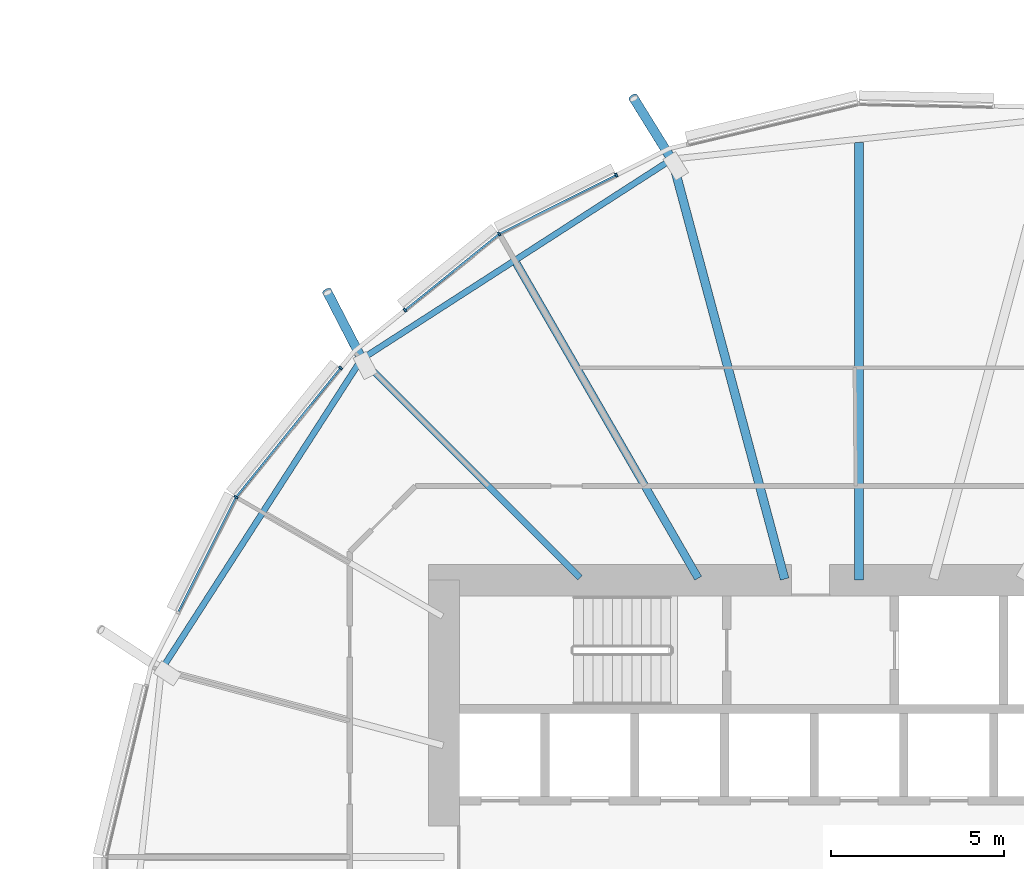
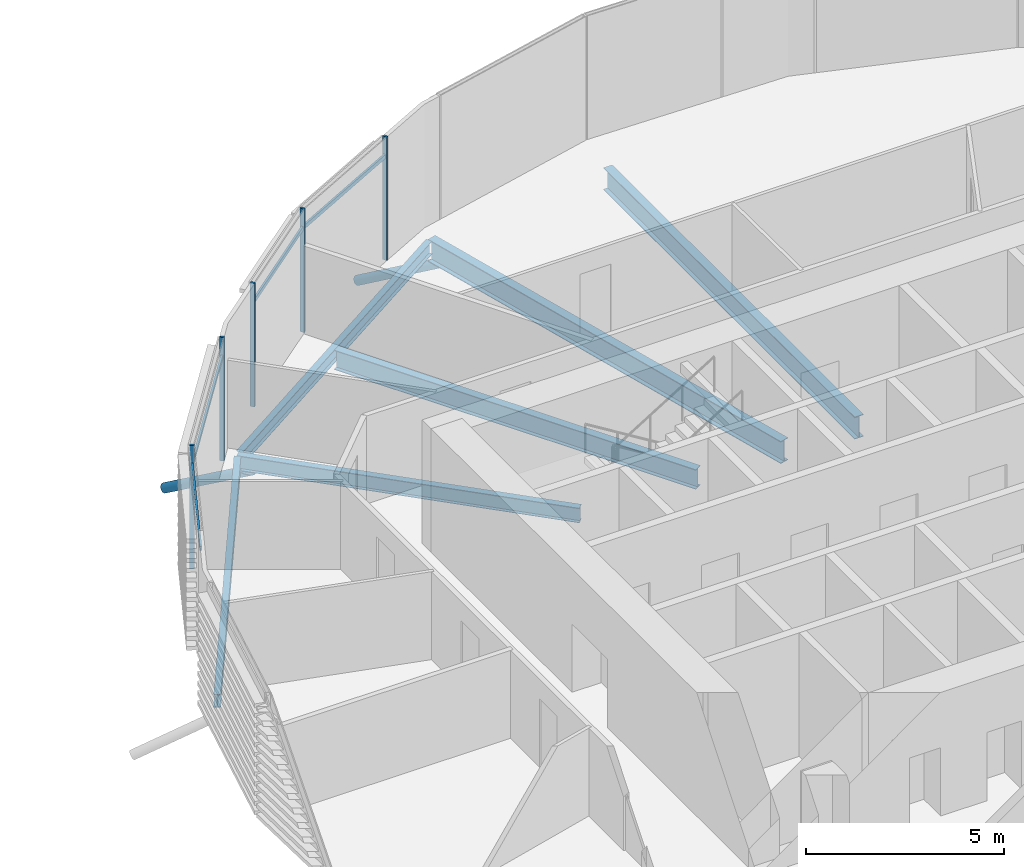
# One storey, part 17 of 38: 11 members, 6 beams, 1 element without a shape of its own.
"""IFC4 building model written with IfcOpenShell, lengths in metres."""

from ifc_helpers import new_model, si_unit, direction, frame, origin, origin_2d, place, context, subcontext, project, spatial, rectangle, hollow_circle, i_section, extrude, clip, halfspace, material, material_profile, profile_set, type_object, element, aggregate, save


model = new_model("IFC4")

# Units and contexts
model_context = context("Model", 3, precision=1e-05, world=origin(), true_north=direction((0.0, 1.0)))
body_context = subcontext(model_context, "Body", "Model", "MODEL_VIEW")
ifc_project = project(units=[si_unit("LENGTHUNIT", "METRE"), si_unit("AREAUNIT", "SQUARE_METRE"), si_unit("VOLUMEUNIT", "CUBIC_METRE"), si_unit("PLANEANGLEUNIT", "RADIAN"), si_unit("MASSUNIT", "GRAM", prefix="KILO")], contexts=[model_context])

# Site, building, storey
site_placement = place(None, origin())
site = spatial("IfcSite", under=ifc_project, at=site_placement, CompositionType="ELEMENT")
building_placement = place(site_placement, origin())
building = spatial("IfcBuilding", under=site, at=building_placement, Name="Rimbun Link Towers", CompositionType="ELEMENT")
storey_placement = place(building_placement, frame((0.0, 0.0, 56.60009765625)))
storey = spatial("IfcBuildingStorey", under=building, at=storey_placement, Name="L13", CompositionType="ELEMENT", Elevation=56.60009765625)

# Curtain wall, members
ifc_material_1 = material(Name="Aluminium 6063-T6 and low-iron glass", Category="aluminium")
curtain_wall_type = type_object("IfcCurtainWallType", Name="CW1 unitised vision wall", PredefinedType="NOTDEFINED", material=ifc_material_1)
curtain_wall_placement = place(storey_placement, origin())
curtain_wall = element("IfcCurtainWall", 1, at=curtain_wall_placement, inside=storey, type_object=curtain_wall_type, Name="CW1 L13 T2", PredefinedType="NOTDEFINED")
ifc_material_2 = material(Name="Aluminium 6063-T6", Category="aluminium")
ifc_material_profile_1 = material_profile(ifc_material_2, rectangle(XDim=0.1201171875, YDim=0.06005859375, at=origin_2d()), Name="MULLION 60X120")
ifc_profile_set_1 = profile_set([ifc_material_profile_1], Name="Aluminium 6063-T6")
member_type_1 = type_object("IfcMemberType", Name="CW1 mullion 60X120", PredefinedType="MULLION", material=ifc_profile_set_1)
member_1_placement = place(storey_placement, frame((21.34716796875, 18.01220703125, 0.0), z_axis=(0.0, 0.0, 1.0), x_axis=(-0.542104802562, 0.840310884756, 0.0)))
member_1 = element("IfcMember", 2, at=member_1_placement, type_object=member_type_1, Name="CW1 mullion", PredefinedType="MULLION", context=body_context, shape_type="SweptSolid", body=[
    extrude(rectangle(XDim=0.1201171875, YDim=0.06005859375, at=origin_2d()), origin(), (0.0, 0.0, 1.0), 3.7998046875),
])
member_2_placement = place(storey_placement, frame((24.73193359375, 19.712158203125, 0.0), z_axis=(0.0, 0.0, 1.0), x_axis=(-0.448789200311, 0.893637652343, 0.0)))
member_2 = element("IfcMember", 3, at=member_2_placement, type_object=member_type_1, Name="CW1 mullion", PredefinedType="MULLION", context=body_context, shape_type="SweptSolid", body=[
    extrude(rectangle(XDim=0.1201171875, YDim=0.06005859375, at=origin_2d()), origin(), (0.0, 0.0, 1.0), 3.7998046875),
])
member_3_placement = place(storey_placement, frame((18.623291015625, 15.8076171875, 0.0), z_axis=(0.0, 0.0, 1.0), x_axis=(-0.62915825639, 0.777277227517, 0.0)))
member_3 = element("IfcMember", 4, at=member_3_placement, type_object=member_type_1, Name="CW1 mullion", PredefinedType="MULLION", context=body_context, shape_type="SweptSolid", body=[
    extrude(rectangle(XDim=0.1201171875, YDim=0.06005859375, at=origin_2d()), origin(), (0.0, 0.0, 1.0), 3.7998046875),
])
member_4_placement = place(storey_placement, frame((13.73779296875, 10.40283203125, 0.0), z_axis=(0.0, 0.0, 1.0), x_axis=(-0.840310884756, 0.542104802562, 0.0)))
member_4 = element("IfcMember", 5, at=member_4_placement, type_object=member_type_1, Name="CW1 mullion", PredefinedType="MULLION", context=body_context, shape_type="SweptSolid", body=[
    extrude(rectangle(XDim=0.1201171875, YDim=0.06005859375, at=origin_2d()), origin(), (0.0, 0.0, 1.0), 3.7998046875),
])
member_5_placement = place(storey_placement, frame((16.76025390625, 14.136962890625, 0.0), z_axis=(0.0, 0.0, 1.0), x_axis=(-0.777277227517, 0.62915825639, 0.0)))
member_5 = element("IfcMember", 6, at=member_5_placement, type_object=member_type_1, Name="CW1 mullion", PredefinedType="MULLION", context=body_context, shape_type="SweptSolid", body=[
    extrude(rectangle(XDim=0.1201171875, YDim=0.06005859375, at=origin_2d()), origin(), (0.0, 0.0, 1.0), 3.7998046875),
])
ifc_material_3 = material(Name="Aluminium 6063-T6", Category="aluminium")
ifc_material_profile_2 = material_profile(ifc_material_3, rectangle(XDim=0.06005859375, YDim=0.1201171875, at=origin_2d()), Name="TRANSOM 60X120")
ifc_profile_set_2 = profile_set([ifc_material_profile_2], Name="Aluminium 6063-T6")
member_type_2 = type_object("IfcMemberType", Name="CW1 transom 60X120", PredefinedType="USERDEFINED", material=ifc_profile_set_2)
member_6_placement = place(storey_placement, frame((21.380615234375, 18.027099609375, 3.199951171875), z_axis=(0.893651671984, 0.448761283046, 0.0), x_axis=(-0.448761283046, 0.893651671984, 0.0)))
member_6 = element("IfcMember", 7, at=member_6_placement, type_object=member_type_2, Name="CW1 transom", ObjectType="TRANSOM", PredefinedType="USERDEFINED", context=body_context, shape_type="SweptSolid", body=[
    extrude(rectangle(XDim=0.06005859375, YDim=0.1201171875, at=origin_2d()), origin(), (0.0, 0.0, 1.0), 3.72119140625),
])
member_7_placement = place(storey_placement, frame((18.64794921875, 15.824951171875, 3.199951171875), z_axis=(0.777287868603, 0.629145109909, 0.0), x_axis=(-0.629145109909, 0.777287868603, 0.0)))
member_7 = element("IfcMember", 8, at=member_7_placement, type_object=member_type_2, Name="CW1 transom", ObjectType="TRANSOM", PredefinedType="USERDEFINED", context=body_context, shape_type="SweptSolid", body=[
    extrude(rectangle(XDim=0.06005859375, YDim=0.1201171875, at=origin_2d()), origin(), (0.0, 0.0, 1.0), 3.437744140625),
])
member_8_placement = place(storey_placement, frame((13.76220703125, 10.429931640625, 3.199951171875), z_axis=(0.629140413525, 0.777291669883, 0.0), x_axis=(-0.777291669883, 0.629140413525, 0.0)))
member_8 = element("IfcMember", 9, at=member_8_placement, type_object=member_type_2, Name="CW1 transom", ObjectType="TRANSOM", PredefinedType="USERDEFINED", context=body_context, shape_type="SweptSolid", body=[
    extrude(rectangle(XDim=0.06005859375, YDim=0.1201171875, at=origin_2d()), origin(), (0.0, 0.0, 1.0), 4.73779296875),
])
member_9_placement = place(storey_placement, frame((12.075439453125, 7.088623046875, 3.199951171875), z_axis=(0.448755777532, 0.893654436643, 0.0), x_axis=(-0.893654436643, 0.448755777532, 0.0)))
member_9 = element("IfcMember", 10, at=member_9_placement, type_object=member_type_2, Name="CW1 transom", ObjectType="TRANSOM", PredefinedType="USERDEFINED", context=body_context, shape_type="SweptSolid", body=[
    extrude(rectangle(XDim=0.06005859375, YDim=0.1201171875, at=origin_2d()), origin(), (0.0, 0.0, 1.0), 3.671142578125),
])
aggregate(curtain_wall, [member_1, member_2, member_3, member_4, member_5, member_6, member_7, member_8, member_9])

# Members
ifc_material_4 = material(Name="Steel S355J2H", Category="steel")
ifc_material_profile_3 = material_profile(ifc_material_4, hollow_circle(Radius=0.136474609375, WallThickness=0.012451171875, at=origin_2d()), Name="CHS 273x12.5")
ifc_profile_set_3 = profile_set([ifc_material_profile_3], Name="Steel S355J2H")
member_type_3 = type_object("IfcMemberType", Name="Floor edge link CHS 273x12.5", PredefinedType="BRACE", material=ifc_profile_set_3)
member_10_placement = place(storey_placement, frame((26.357177734375, 20.126708984375, -0.96240234375), z_axis=(-0.459763733359, 0.741003231937, -0.48941957434), x_axis=(-0.849727146631, -0.527222700838, 0.0)))
element("IfcMember", 11, at=member_10_placement, inside=storey, type_object=member_type_3, Name="Floor edge link T2 L13 04", PredefinedType="BRACE", context=body_context, shape_type="Clipping", body=[
    clip(extrude(hollow_circle(Radius=0.136474609375, WallThickness=0.012451171875, at=origin_2d()), frame((0.0, 0.0, -0.5068359375)), (0.0, 0.0, 1.0), 2.992919921875), halfspace(frame((0.0, 0.0, -0.23876953125), z_axis=(0.0, 0.872048439166, -0.48941957434)), False)),
])
member_11_placement = place(storey_placement, frame((17.3974609375, 14.3525390625, -0.730712890625), z_axis=(-0.395063915074, 0.765570560078, -0.507765911172), x_axis=(-0.888653428735, -0.458579419073, 0.0)))
element("IfcMember", 12, at=member_11_placement, inside=storey, type_object=member_type_3, Name="Floor edge link T2 L13 06", PredefinedType="BRACE", context=body_context, shape_type="Clipping", body=[
    clip(extrude(hollow_circle(Radius=0.136474609375, WallThickness=0.012451171875, at=origin_2d()), frame((0.0, 0.0, -0.48291015625)), (0.0, 0.0, 1.0), 3.09765625), halfspace(frame((0.0, 0.0, -0.226806640625), z_axis=(0.0, 0.861495083823, -0.507765911172)), False)),
])

# Beams
ifc_material_5 = material(Name="Steel S355J2", Category="steel")
ifc_material_profile_4 = material_profile(ifc_material_5, i_section(OverallWidth=0.177978515625, OverallDepth=0.406494140625, WebThickness=0.0078125, FlangeThickness=0.0126953125, at=origin_2d()), Name="UB 406x178x60")
ifc_profile_set_4 = profile_set([ifc_material_profile_4], Name="Steel S355J2")
beam_type_1 = type_object("IfcBeamType", Name="UB 406x178x60", PredefinedType="BEAM", material=ifc_profile_set_4)
beam_1_placement = place(storey_placement, frame((26.231201171875, 20.102294921875, -0.36328125), z_axis=(-0.840630116138, -0.541609645263, 0.0), x_axis=(0.541609645263, -0.840630116138, 0.0)))
element("IfcBeam", 13, at=beam_1_placement, inside=storey, type_object=beam_type_1, Name="Edge beam T2 L13 04-06", PredefinedType="BEAM", context=body_context, shape_type="SweptSolid", body=[
    extrude(i_section(OverallWidth=0.177978515625, OverallDepth=0.406494140625, WebThickness=0.0078125, FlangeThickness=0.0126953125, at=origin_2d()), origin(), (0.0, 0.0, 1.0), 10.452392578125),
])
beam_2_placement = place(storey_placement, frame((17.308837890625, 14.305419921875, -0.36328125), z_axis=(-0.541613961601, -0.840627335149, 0.0), x_axis=(0.840627335149, -0.541613961601, 0.0)))
element("IfcBeam", 14, at=beam_2_placement, inside=storey, type_object=beam_type_1, Name="Edge beam T2 L13 06-08", PredefinedType="BEAM", context=body_context, shape_type="SweptSolid", body=[
    extrude(i_section(OverallWidth=0.177978515625, OverallDepth=0.406494140625, WebThickness=0.0078125, FlangeThickness=0.0126953125, at=origin_2d()), origin(), (0.0, 0.0, 1.0), 10.486083984375),
])
ifc_material_6 = material(Name="Steel S355J2", Category="steel")
ifc_material_profile_5 = material_profile(ifc_material_6, i_section(OverallWidth=0.18994140625, OverallDepth=0.453369140625, WebThickness=0.008544921875, FlangeThickness=0.0126953125, at=origin_2d()), Name="UB 457x191x67")
ifc_profile_set_5 = profile_set([ifc_material_profile_5], Name="Steel S355J2")
beam_type_2 = type_object("IfcBeamType", Name="UB 457x191x67", PredefinedType="BEAM", material=ifc_profile_set_5)
beam_3_placement = place(storey_placement, frame((23.68212890625, 8.06787109375, -0.38671875), z_axis=(-0.707106781187, 0.707106781187, 0.0), x_axis=(-0.707106781187, -0.707106781187, 0.0)))
element("IfcBeam", 15, at=beam_3_placement, inside=storey, type_object=beam_type_2, Name="Radial beam T2 L13 06", PredefinedType="BEAM", context=body_context, shape_type="SweptSolid", body=[
    extrude(i_section(OverallWidth=0.18994140625, OverallDepth=0.453369140625, WebThickness=0.008544921875, FlangeThickness=0.0126953125, at=origin_2d()), origin(), (0.0, 0.0, 1.0), 8.93798828125),
])
ifc_material_7 = material(Name="Steel S355J2", Category="steel")
ifc_material_profile_6 = material_profile(ifc_material_7, i_section(OverallWidth=0.2275390625, OverallDepth=0.6025390625, WebThickness=0.010498046875, FlangeThickness=0.014892578125, at=origin_2d()), Name="UB 610x229x101")
ifc_profile_set_6 = profile_set([ifc_material_profile_6], Name="Steel S355J2")
beam_type_3 = type_object("IfcBeamType", Name="UB 610x229x101", PredefinedType="BEAM", material=ifc_profile_set_6)
beam_4_placement = place(storey_placement, frame((27.097900390625, 8.057861328125, -0.46142578125), z_axis=(-0.500006456804, 0.866021675915, 0.0), x_axis=(-0.866021675915, -0.500006456804, 0.0)))
element("IfcBeam", 16, at=beam_4_placement, inside=storey, type_object=beam_type_3, Name="Radial beam T2 L13 05", PredefinedType="BEAM", context=body_context, shape_type="SweptSolid", body=[
    extrude(i_section(OverallWidth=0.2275390625, OverallDepth=0.6025390625, WebThickness=0.010498046875, FlangeThickness=0.014892578125, at=origin_2d()), origin(), (0.0, 0.0, 1.0), 10.516845703125),
])
ifc_material_8 = material(Name="Steel S355J2", Category="steel")
ifc_material_profile_7 = material_profile(ifc_material_8, i_section(OverallWidth=0.253662109375, OverallDepth=0.68359375, WebThickness=0.012451171875, FlangeThickness=0.01904296875, at=origin_2d()), Name="UB 686x254x140")
ifc_profile_set_7 = profile_set([ifc_material_profile_7], Name="Steel S355J2")
beam_type_4 = type_object("IfcBeamType", Name="UB 686x254x140", PredefinedType="BEAM", material=ifc_profile_set_7)
beam_5_placement = place(storey_placement, frame((31.75, 8.0009765625, -0.501708984375), z_axis=(0.0, 1.0, 0.0), x_axis=(-1.0, 0.0, 0.0)))
element("IfcBeam", 17, at=beam_5_placement, inside=storey, type_object=beam_type_4, Name="Radial beam T2 L13 03", PredefinedType="BEAM", context=body_context, shape_type="SweptSolid", body=[
    extrude(i_section(OverallWidth=0.253662109375, OverallDepth=0.68359375, WebThickness=0.012451171875, FlangeThickness=0.01904296875, at=origin_2d()), origin(), (0.0, 0.0, 1.0), 12.658935546875),
])
beam_6_placement = place(storey_placement, frame((29.597412109375, 8.03369140625, -0.501708984375), z_axis=(-0.258830257283, 0.965922821924, 0.0), x_axis=(-0.965922821924, -0.258830257283, 0.0)))
element("IfcBeam", 18, at=beam_6_placement, inside=storey, type_object=beam_type_4, Name="Radial beam T2 L13 04", PredefinedType="BEAM", context=body_context, shape_type="SweptSolid", body=[
    extrude(i_section(OverallWidth=0.253662109375, OverallDepth=0.68359375, WebThickness=0.012451171875, FlangeThickness=0.01904296875, at=origin_2d()), origin(), (0.0, 0.0, 1.0), 12.569580078125),
])

save(model, "model.ifc")
